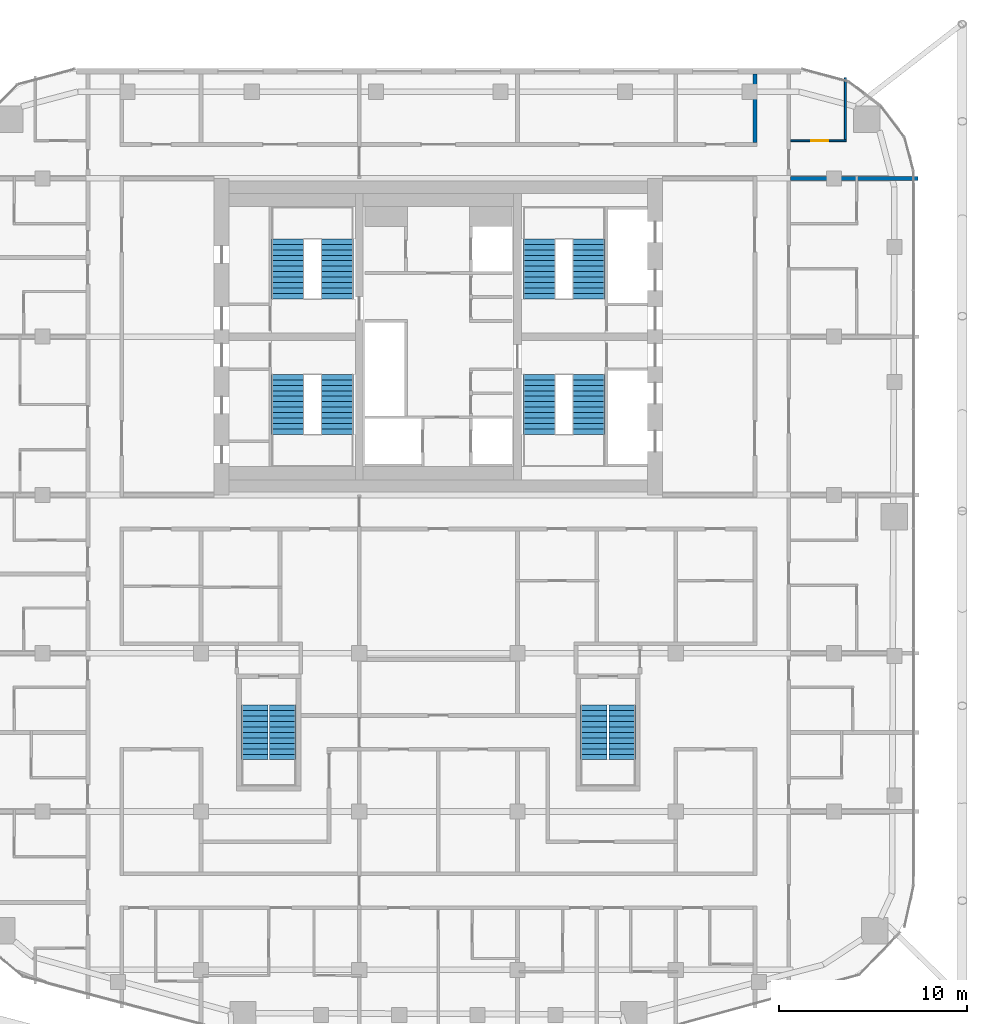
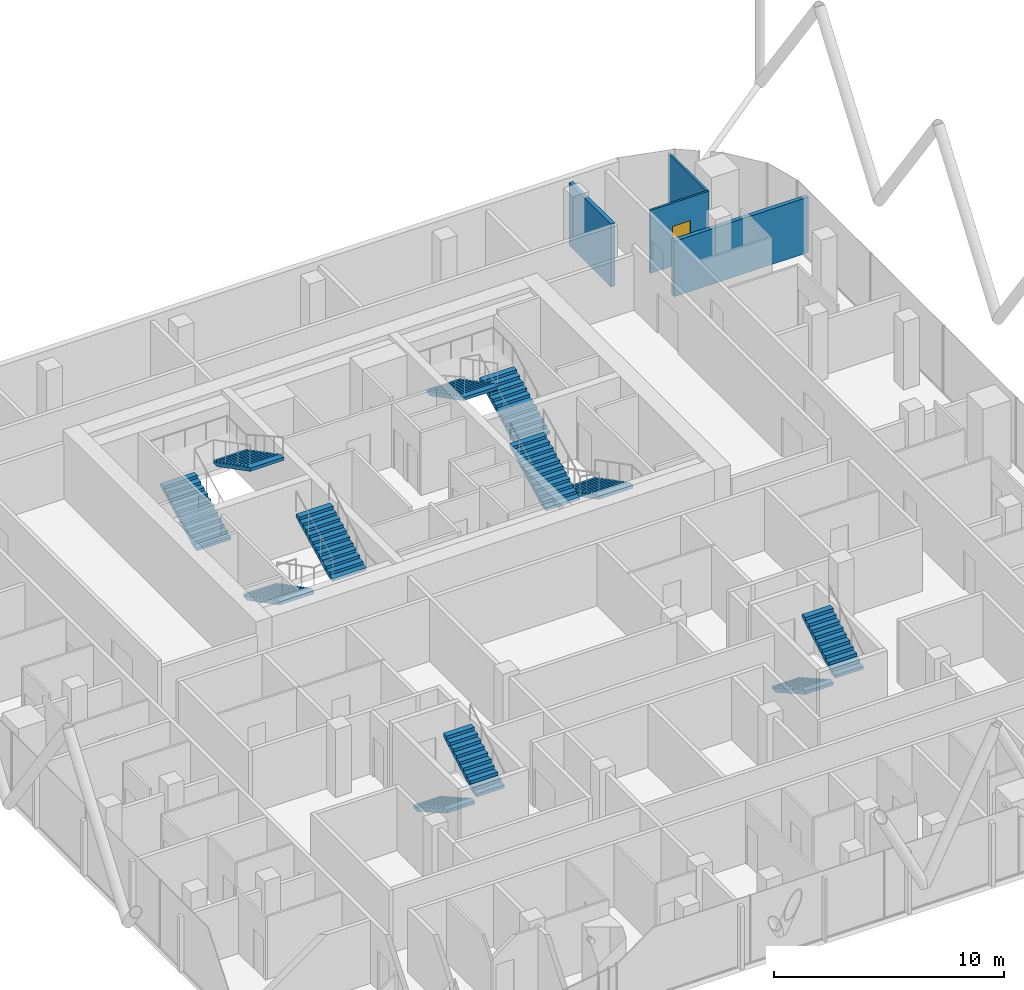
# One storey, part 27 of 28: 12 stair flights, 4 walls, 1 door, 1 opening, 6 elements without a shape of their own.
"""IFC4 building model written with IfcOpenShell, lengths in metres."""

import ifcopenshell
import ifcopenshell.guid

model = None  # the IFC model being written
_history = None  # IfcOwnerHistory: only IFC2X3 demands one
_inside = {}  # id of a spatial element -> (the spatial element, [elements in it])
_under = {}  # id of a project, library or spatial element -> (it, [spatial elements below it])
_declared = {}  # id of a project -> (the project, [libraries it declares])
_typed = {}  # id of a type object -> (the type object, [elements of that type])
_made_of = {}  # id of a material, layer set ... -> (it, [elements and type objects made of it])


def new_model(schema):
    """Start an empty IFC model of exactly this schema.

    Asked for "IFC4X3", IfcOpenShell would pick the latest addendum, in which some entities
    have other attributes; the version numbers below select the first issue.
    IFC2X3 requires an IfcOwnerHistory on every rooted entity: one is made here for all.
    """
    global model, _history
    if schema == "IFC4X3":
        model = ifcopenshell.file(schema_version=(4, 3, 0, 0))
    else:
        model = ifcopenshell.file(schema=schema)
    _inside.clear()
    _under.clear()
    _declared.clear()
    _typed.clear()
    _made_of.clear()
    _history = None
    if model.schema == "IFC2X3":
        org = make("IfcOrganization", Name="unknown")
        user = make(
            "IfcPersonAndOrganization",
            ThePerson=make("IfcPerson", FamilyName="unknown"),
            TheOrganization=org,
        )
        app = make(
            "IfcApplication",
            ApplicationDeveloper=org,
            Version="unknown",
            ApplicationFullName="unknown",
            ApplicationIdentifier="unknown",
        )
        _history = make(
            "IfcOwnerHistory",
            OwningUser=user,
            OwningApplication=app,
            ChangeAction="ADDED",
            CreationDate=0,
        )
    return model


def make(cls, **values):
    """One entity of the class cls with the attributes given. An attribute that is None is left unset."""
    return model.create_entity(
        cls, **{name: value for name, value in values.items() if value is not None}
    )


def rooted(cls, **values):
    """An entity with a GlobalId (a new one), such as an element, a storey or a relation."""
    return make(cls, GlobalId=ifcopenshell.guid.new(), OwnerHistory=_history, **values)


def si_unit(unit_type, name, prefix=None):
    """IfcSIUnit, for example si_unit("LENGTHUNIT", "METRE", prefix="MILLI")."""
    return make("IfcSIUnit", UnitType=unit_type, Prefix=prefix, Name=name)


def assignment(units):
    """IfcUnitAssignment: the units of a project."""
    return None if units is None else make("IfcUnitAssignment", Units=units)


def point(xyz):
    """IfcCartesianPoint."""
    return None if xyz is None else make("IfcCartesianPoint", Coordinates=xyz)


def direction(xyz):
    """IfcDirection."""
    return None if xyz is None else make("IfcDirection", DirectionRatios=xyz)


def frame(location, z_axis=None, x_axis=None):
    """IfcAxis2Placement3D, a coordinate frame: its origin and axes. An axis left out is left unset."""
    return make(
        "IfcAxis2Placement3D",
        Location=point(location),
        Axis=direction(z_axis),
        RefDirection=direction(x_axis),
    )


def frame_2d(location, x_axis=None):
    """IfcAxis2Placement2D, a coordinate frame in the plane: its origin and x axis."""
    return make(
        "IfcAxis2Placement2D", Location=point(location), RefDirection=direction(x_axis)
    )


def origin():
    """The frame at (0, 0, 0) with its axes left unset."""
    return frame((0.0, 0.0, 0.0))


def place(relative_to, where):
    """IfcLocalPlacement: puts the frame where relative to a parent placement (None: the world)."""
    return make(
        "IfcLocalPlacement", PlacementRelTo=relative_to, RelativePlacement=where
    )


def context(
    kind, dimensions, precision=None, world=None, true_north=None, identifier=None
):
    """IfcGeometricRepresentationContext, for example the 3D "Model" context."""
    return make(
        "IfcGeometricRepresentationContext",
        ContextIdentifier=identifier,
        ContextType=kind,
        CoordinateSpaceDimension=dimensions,
        Precision=precision,
        WorldCoordinateSystem=world,
        TrueNorth=true_north,
    )


def subcontext(parent, identifier, kind, view, scale=None):
    """IfcGeometricRepresentationSubContext, for example "Body" below "Model"."""
    return make(
        "IfcGeometricRepresentationSubContext",
        ContextIdentifier=identifier,
        ContextType=kind,
        ParentContext=parent,
        TargetScale=scale,
        TargetView=view,
    )


def project(units=None, contexts=None):
    """IfcProject with its units and contexts."""
    return rooted(
        "IfcProject",
        Name="project",
        RepresentationContexts=contexts,
        UnitsInContext=assignment(units),
    )


def spatial(cls, under=None, at=None, **own):
    """A site, building, storey or space (cls), placed at a placement, below another one or the project."""
    s = rooted(cls, ObjectPlacement=at, **own)
    if under is not None:
        _under.setdefault(under.id(), (under, []))[1].append(s)
    return s


def polyline(points):
    """IfcPolyline through the points."""
    return make("IfcPolyline", Points=[point(p) for p in points])


def profile(cls, at=None, kind="AREA", **sizes):
    """A parametric profile (cls). Its sizes go by their IFC names, for example OverallWidth=200.0."""
    return make(cls, ProfileType=kind, Position=at, **sizes)


def rectangle(**sizes):
    """IfcRectangleProfileDef."""
    return profile("IfcRectangleProfileDef", **sizes)


def outline(outer, holes=None, kind="AREA"):
    """IfcArbitraryClosedProfileDef: a profile drawn as a closed curve; with holes, ...WithVoids."""
    if holes is None:
        return make("IfcArbitraryClosedProfileDef", ProfileType=kind, OuterCurve=outer)
    return make(
        "IfcArbitraryProfileDefWithVoids",
        ProfileType=kind,
        OuterCurve=outer,
        InnerCurves=holes,
    )


def extrude(swept, where, along, depth):
    """IfcExtrudedAreaSolid: the profile swept, set in the frame where, extruded along a direction by depth."""
    return make(
        "IfcExtrudedAreaSolid",
        SweptArea=swept,
        Position=where,
        ExtrudedDirection=direction(along),
        Depth=depth,
    )


def shape(context_of_items, identifier, shape_type, items):
    """IfcShapeRepresentation: the items that make up one representation, for example the "Body"."""
    return make(
        "IfcShapeRepresentation",
        ContextOfItems=context_of_items,
        RepresentationIdentifier=identifier,
        RepresentationType=shape_type,
        Items=items,
    )


def material(Name=None, Category=None):
    """IfcMaterial."""
    return make("IfcMaterial", Name=Name, Category=Category)


def layer(
    of_material, thickness, ventilated=None, Name=None, Category=None, Priority=None
):
    """IfcMaterialLayer: one layer of a wall or slab, of a material (None: an air gap)."""
    return make(
        "IfcMaterialLayer",
        Material=of_material,
        LayerThickness=thickness,
        IsVentilated=ventilated,
        Name=Name,
        Category=Category,
        Priority=Priority,
    )


def layer_set(layers, Name=None):
    """IfcMaterialLayerSet."""
    return make("IfcMaterialLayerSet", MaterialLayers=layers, LayerSetName=Name)


def made_of(thing, what):
    """Note that an element or type object is made of a material, layer set ...; save() writes the relation."""
    if what is not None:
        _made_of.setdefault(what.id(), (what, []))[1].append(thing)
    return thing


def type_object(cls, material=None, **own):
    """A type object (cls), such as IfcWallType, which elements share."""
    return made_of(rooted(cls, **own), material)


def element(
    cls,
    number,
    at=None,
    inside=None,
    cuts=None,
    type_object=None,
    material=None,
    context=None,
    identifier="Body",
    shape_type=None,
    held_by="IfcProductDefinitionShape",
    body=None,
    shapes=None,
    **own,
):
    """One element of the class cls, such as IfcWall. Its Tag is "e" and its number.

    at: its placement. inside: the storey or other place that contains it. cuts: it is an
    opening in that element (IfcRelVoidsElement). A single representation is given by context,
    identifier, shape_type and body (its items); several are given by shapes. held_by: the class
    of the entity that holds the representations. save() writes the other relations.
    """
    e = rooted(cls, Tag="e%d" % number, ObjectPlacement=at, **own)
    if body is not None:
        shapes = [shape(context, identifier, shape_type, body)]
    if shapes is not None:
        e.Representation = make(held_by, Representations=shapes)
    if inside is not None:
        _inside.setdefault(inside.id(), (inside, []))[1].append(e)
    if cuts is not None:
        rooted(
            "IfcRelVoidsElement", RelatingBuildingElement=cuts, RelatedOpeningElement=e
        )
    if type_object is not None:
        _typed.setdefault(type_object.id(), (type_object, []))[1].append(e)
    return made_of(e, material)


def fill(opening, filler):
    """IfcRelFillsElement: the door or window that sits in an opening."""
    return rooted(
        "IfcRelFillsElement",
        RelatingOpeningElement=opening,
        RelatedBuildingElement=filler,
    )


def aggregate(whole, parts):
    """IfcRelAggregates: a whole, such as a stair, and the parts it consists of."""
    return rooted("IfcRelAggregates", RelatingObject=whole, RelatedObjects=parts)


def save(model, path):
    """Write the relations noted so far, then the file.

    IfcRelAggregates (storeys below a building ...), IfcRelContainedInSpatialStructure (elements
    in a storey), IfcRelDefinesByType, IfcRelAssociatesMaterial and IfcRelDeclares: one each for
    every whole, place, type object, material and project.
    """
    for whole, parts in _under.values():
        aggregate(whole, parts)
    for where, things in _inside.values():
        rooted(
            "IfcRelContainedInSpatialStructure",
            RelatedElements=things,
            RelatingStructure=where,
        )
    for kind, things in _typed.values():
        rooted("IfcRelDefinesByType", RelatedObjects=things, RelatingType=kind)
    for what, things in _made_of.values():
        rooted("IfcRelAssociatesMaterial", RelatedObjects=things, RelatingMaterial=what)
    for by, libraries in _declared.values():
        rooted("IfcRelDeclares", RelatingContext=by, RelatedDefinitions=libraries)
    model.write(path)


model = new_model("IFC4")

# Units and contexts
model_context = context("Model", 3, precision=1e-05, world=origin(), true_north=direction((0.0, 1.0)))
body_context = subcontext(model_context, "Body", "Model", "MODEL_VIEW")
ifc_project = project(units=[si_unit("LENGTHUNIT", "METRE"), si_unit("AREAUNIT", "SQUARE_METRE"), si_unit("VOLUMEUNIT", "CUBIC_METRE"), si_unit("PLANEANGLEUNIT", "RADIAN"), si_unit("MASSUNIT", "GRAM", prefix="KILO")], contexts=[model_context])

# Site, building, storey
site_placement = place(None, origin())
site = spatial("IfcSite", under=ifc_project, at=site_placement, CompositionType="ELEMENT")
building_placement = place(site_placement, origin())
building = spatial("IfcBuilding", under=site, at=building_placement, Name="Marenta Gate Hotel Tower", CompositionType="ELEMENT")
storey_placement = place(building_placement, frame((0.0, 0.0, 227.300048828125)))
storey = spatial("IfcBuildingStorey", under=building, at=storey_placement, Name="L53", CompositionType="ELEMENT", Elevation=227.300048828125)

# Walls
ifc_material_1 = material(Name="Gypsum board on steel stud", Category="steel")
ifc_layer_1 = layer(ifc_material_1, 0.199951171875)
ifc_layer_set_1 = layer_set([ifc_layer_1], Name="Gypsum board on steel stud")
wall_type_1 = type_object("IfcWallType", Name="Room corridor wall 200 EI 60", PredefinedType="PARTITIONING", material=ifc_layer_set_1)
wall_1_placement = place(storey_placement, frame((16.800048828125, 18.699951171875, 0.0), z_axis=(0.0, 0.0, 1.0), x_axis=(0.0, 1.0, 0.0)))
element("IfcWall", 1, at=wall_1_placement, inside=storey, type_object=wall_type_1, Name="L53-PTN-W027", PredefinedType="PARTITIONING", context=body_context, shape_type="SweptSolid", body=[
    extrude(rectangle(XDim=3.64013671875, YDim=0.199951171875, at=frame_2d((1.820068359375, 0.0))), origin(), (0.0, 0.0, 1.0), 3.33984375),
])
ifc_material_2 = material(Name="Gypsum board on steel stud", Category="steel")
ifc_layer_2 = layer(ifc_material_2, 0.10009765625)
ifc_layer_set_2 = layer_set([ifc_layer_2], Name="Gypsum board on steel stud")
wall_type_2 = type_object("IfcWallType", Name="Room partition 100", PredefinedType="PARTITIONING", material=ifc_layer_set_2)
wall_2_placement = place(storey_placement, frame((21.60009765625, 18.85009765625, 0.0), z_axis=(0.0, 0.0, 1.0), x_axis=(0.0, 1.0, 0.0)))
element("IfcWall", 2, at=wall_2_placement, inside=storey, type_object=wall_type_2, Name="L53-PTN-W017", PredefinedType="PARTITIONING", context=body_context, shape_type="SweptSolid", body=[
    extrude(rectangle(XDim=3.294921875, YDim=0.10009765625, at=frame_2d((1.6474609375, 0.0))), origin(), (0.0, 0.0, 1.0), 3.33984375),
])

# Wall, opening, door
wall_3_placement = place(storey_placement, frame((18.699951171875, 18.800048828125, 0.0), z_axis=(0.0, 0.0, 1.0), x_axis=(1.0, 0.0, 0.0)))
wall_3 = element("IfcWall", 3, at=wall_3_placement, inside=storey, type_object=wall_type_2, Name="L53-PTN-W113", PredefinedType="PARTITIONING", context=body_context, shape_type="SweptSolid", body=[
    extrude(rectangle(XDim=2.949951171875, YDim=0.10009765625, at=frame_2d((1.47509765625, 0.0))), origin(), (0.0, 0.0, 1.0), 3.33984375),
])
opening_placement = place(wall_3_placement, frame((1.10009765625, 0.0, 0.0)))
opening = element("IfcOpeningElement", 4, at=opening_placement, cuts=wall_3, Name="Opening G19-30", PredefinedType="OPENING", context=body_context, shape_type="SweptSolid", body=[
    extrude(rectangle(XDim=0.89990234375, YDim=2.10009765625, at=frame_2d((0.449951171875, 1.050048828125))), frame((0.0, 0.050048828125, 0.0), z_axis=(0.0, -1.0, 0.0), x_axis=(1.0, 0.0, 0.0)), (0.0, 0.0, 1.0), 0.10009765625),
])
ifc_material_3 = material(Name="Timber door leaf", Category="wood")
door_type = type_object("IfcDoorType", Name="Guest bathroom door 900x2100", OperationType="NOTDEFINED", PredefinedType="DOOR", material=ifc_material_3)
door_placement = place(opening_placement, origin())
door = element("IfcDoor", 5, at=door_placement, inside=storey, type_object=door_type, Name="L53-PD-D030", OperationType="SINGLE_SWING_RIGHT", OverallHeight=2.10009765625, OverallWidth=0.89990234375, PredefinedType="DOOR", context=body_context, shape_type="SweptSolid", body=[
    extrude(rectangle(XDim=0.89990234375, YDim=2.10009765625, at=frame_2d((0.449951171875, 1.050048828125))), frame((0.0, 0.02490234375, 0.0), z_axis=(0.0, -1.0, 0.0), x_axis=(1.0, 0.0, 0.0)), (0.0, 0.0, 1.0), 0.050048828125),
])
fill(opening, door)

# Wall
ifc_material_4 = material(Name="Gypsum board on steel stud", Category="steel")
ifc_layer_3 = layer(ifc_material_4, 0.199951171875)
ifc_layer_set_3 = layer_set([ifc_layer_3], Name="Gypsum board on steel stud")
wall_type_3 = type_object("IfcWallType", Name="Room party wall 200 EI 60", PredefinedType="PARTITIONING", material=ifc_layer_set_3)
wall_4_placement = place(storey_placement, frame((18.699951171875, 16.800048828125, 0.0), z_axis=(0.0, 0.0, 1.0), x_axis=(1.0, 0.0, 0.0)))
element("IfcWall", 6, at=wall_4_placement, inside=storey, type_object=wall_type_3, Name="L53-PTN-W109", PredefinedType="PARTITIONING", context=body_context, shape_type="SweptSolid", body=[
    extrude(rectangle(XDim=6.7470703125, YDim=0.199951171875, at=frame_2d((3.37353515625, 0.0))), origin(), (0.0, 0.0, 1.0), 2.93994140625),
])

# Stair, stair flights
ifc_material_5 = material(Name="Concrete C40", Category="concrete")
stair_type_1 = type_object("IfcStairType", Name="Core exit stair 1700 wide", PredefinedType="HALF_TURN_STAIR", material=ifc_material_5)
stair_1_placement = place(storey_placement, origin())
stair_1 = element("IfcStair", 7, at=stair_1_placement, inside=storey, type_object=stair_type_1, Name="Exit stair 1", PredefinedType="HALF_TURN_STAIR")
ifc_material_6 = material(Name="Concrete C40", Category="concrete")
stair_flight_type_1 = type_object("IfcStairFlightType", Name="Core stair flight 1700 riser 150.0 going 290", PredefinedType="STRAIGHT", material=ifc_material_6)
stair_flight_1_placement = place(storey_placement, frame((-8.0, 6.39990234375, 0.0), z_axis=(0.0, 0.0, 1.0), x_axis=(0.0, -1.0, 0.0)))
stair_flight_1 = element("IfcStairFlight", 8, at=stair_flight_1_placement, type_object=stair_flight_type_1, Name="ST1 flight 1", NumberOfRisers=12, NumberOfTreads=11, PredefinedType="STRAIGHT", RiserHeight=0.15, TreadLength=0.29, context=body_context, shape_type="SweptSolid", body=[
    extrude(outline(polyline([(0.0, 0.0), (0.0, 0.14990234375), (0.2900390625, 0.14990234375), (0.2900390625, 0.300048828125), (0.580078125, 0.300048828125), (0.580078125, 0.449951171875), (0.8701171875, 0.449951171875), (0.8701171875, 0.60009765625), (1.159912109375, 0.60009765625), (1.159912109375, 0.75), (1.449951171875, 0.75), (1.449951171875, 0.89990234375), (1.739990234375, 0.89990234375), (1.739990234375, 1.050048828125), (2.030029296875, 1.050048828125), (2.030029296875, 1.199951171875), (2.320068359375, 1.199951171875), (2.320068359375, 1.35009765625), (2.610107421875, 1.35009765625), (2.610107421875, 1.5), (2.89990234375, 1.5), (2.89990234375, 1.64990234375), (3.18994140625, 1.64990234375), (3.18994140625, 1.800048828125), (3.18994140625, 1.481201171875), (0.326171875, 0.0), (0.0, 0.0)])), frame((0.0, 0.85009765625, 0.0), z_axis=(0.0, -1.0, 0.0), x_axis=(1.0, 0.0, 0.0)), (0.0, 0.0, 1.0), 1.699951171875),
])
stair_flight_2_placement = place(storey_placement, frame((-5.35009765625, 3.2099609375, 1.800048828125), z_axis=(0.0, 0.0, 1.0), x_axis=(0.0, 1.0, 0.0)))
stair_flight_2 = element("IfcStairFlight", 9, at=stair_flight_2_placement, type_object=stair_flight_type_1, Name="ST1 flight 2", NumberOfRisers=12, NumberOfTreads=11, PredefinedType="STRAIGHT", RiserHeight=0.15, TreadLength=0.29, context=body_context, shape_type="SweptSolid", body=[
    extrude(outline(polyline([(0.0, 0.0), (0.0, 0.14990234375), (0.2900390625, 0.14990234375), (0.2900390625, 0.300048828125), (0.580078125, 0.300048828125), (0.580078125, 0.449951171875), (0.8701171875, 0.449951171875), (0.8701171875, 0.60009765625), (1.159912109375, 0.60009765625), (1.159912109375, 0.75), (1.449951171875, 0.75), (1.449951171875, 0.89990234375), (1.739990234375, 0.89990234375), (1.739990234375, 1.050048828125), (2.030029296875, 1.050048828125), (2.030029296875, 1.199951171875), (2.320068359375, 1.199951171875), (2.320068359375, 1.35009765625), (2.610107421875, 1.35009765625), (2.610107421875, 1.5), (2.89990234375, 1.5), (2.89990234375, 1.64990234375), (3.18994140625, 1.64990234375), (3.18994140625, 1.800048828125), (3.18994140625, 1.481201171875), (0.326171875, 0.0), (0.0, 0.0)])), frame((0.0, 0.85009765625, 0.0), z_axis=(0.0, -1.0, 0.0), x_axis=(1.0, 0.0, 0.0)), (0.0, 0.0, 1.0), 1.699951171875),
])
aggregate(stair_1, [stair_flight_1, stair_flight_2])

stair_2_placement = place(storey_placement, origin())
stair_2 = element("IfcStair", 10, at=stair_2_placement, inside=storey, type_object=stair_type_1, Name="Exit stair 2", PredefinedType="HALF_TURN_STAIR")
stair_flight_3_placement = place(storey_placement, frame((-8.0, 10.39990234375, 0.0), z_axis=(0.0, 0.0, 1.0), x_axis=(0.0, 1.0, 0.0)))
stair_flight_3 = element("IfcStairFlight", 11, at=stair_flight_3_placement, type_object=stair_flight_type_1, Name="ST2 flight 1", NumberOfRisers=12, NumberOfTreads=11, PredefinedType="STRAIGHT", RiserHeight=0.15, TreadLength=0.29, context=body_context, shape_type="SweptSolid", body=[
    extrude(outline(polyline([(0.0, 0.0), (0.0, 0.14990234375), (0.2900390625, 0.14990234375), (0.2900390625, 0.300048828125), (0.580078125, 0.300048828125), (0.580078125, 0.449951171875), (0.8701171875, 0.449951171875), (0.8701171875, 0.60009765625), (1.159912109375, 0.60009765625), (1.159912109375, 0.75), (1.449951171875, 0.75), (1.449951171875, 0.89990234375), (1.739990234375, 0.89990234375), (1.739990234375, 1.050048828125), (2.030029296875, 1.050048828125), (2.030029296875, 1.199951171875), (2.320068359375, 1.199951171875), (2.320068359375, 1.35009765625), (2.610107421875, 1.35009765625), (2.610107421875, 1.5), (2.89990234375, 1.5), (2.89990234375, 1.64990234375), (3.18994140625, 1.64990234375), (3.18994140625, 1.800048828125), (3.18994140625, 1.481201171875), (0.326171875, 0.0), (0.0, 0.0)])), frame((0.0, 0.85009765625, 0.0), z_axis=(0.0, -1.0, 0.0), x_axis=(1.0, 0.0, 0.0)), (0.0, 0.0, 1.0), 1.699951171875),
])
stair_flight_4_placement = place(storey_placement, frame((-5.35009765625, 13.590087890625, 1.800048828125), z_axis=(0.0, 0.0, 1.0), x_axis=(0.0, -1.0, 0.0)))
stair_flight_4 = element("IfcStairFlight", 12, at=stair_flight_4_placement, type_object=stair_flight_type_1, Name="ST2 flight 2", NumberOfRisers=12, NumberOfTreads=11, PredefinedType="STRAIGHT", RiserHeight=0.15, TreadLength=0.29, context=body_context, shape_type="SweptSolid", body=[
    extrude(outline(polyline([(0.0, 0.0), (0.0, 0.14990234375), (0.2900390625, 0.14990234375), (0.2900390625, 0.300048828125), (0.580078125, 0.300048828125), (0.580078125, 0.449951171875), (0.8701171875, 0.449951171875), (0.8701171875, 0.60009765625), (1.159912109375, 0.60009765625), (1.159912109375, 0.75), (1.449951171875, 0.75), (1.449951171875, 0.89990234375), (1.739990234375, 0.89990234375), (1.739990234375, 1.050048828125), (2.030029296875, 1.050048828125), (2.030029296875, 1.199951171875), (2.320068359375, 1.199951171875), (2.320068359375, 1.35009765625), (2.610107421875, 1.35009765625), (2.610107421875, 1.5), (2.89990234375, 1.5), (2.89990234375, 1.64990234375), (3.18994140625, 1.64990234375), (3.18994140625, 1.800048828125), (3.18994140625, 1.481201171875), (0.326171875, 0.0), (0.0, 0.0)])), frame((0.0, 0.85009765625, 0.0), z_axis=(0.0, -1.0, 0.0), x_axis=(1.0, 0.0, 0.0)), (0.0, 0.0, 1.0), 1.699951171875),
])
aggregate(stair_2, [stair_flight_3, stair_flight_4])

stair_3_placement = place(storey_placement, origin())
stair_3 = element("IfcStair", 13, at=stair_3_placement, inside=storey, type_object=stair_type_1, Name="Exit stair 3", PredefinedType="HALF_TURN_STAIR")
stair_flight_5_placement = place(storey_placement, frame((8.0, 6.39990234375, 0.0), z_axis=(0.0, 0.0, 1.0), x_axis=(0.0, -1.0, 0.0)))
stair_flight_5 = element("IfcStairFlight", 14, at=stair_flight_5_placement, type_object=stair_flight_type_1, Name="ST3 flight 1", NumberOfRisers=12, NumberOfTreads=11, PredefinedType="STRAIGHT", RiserHeight=0.15, TreadLength=0.29, context=body_context, shape_type="SweptSolid", body=[
    extrude(outline(polyline([(0.0, 0.0), (0.0, 0.14990234375), (0.2900390625, 0.14990234375), (0.2900390625, 0.300048828125), (0.580078125, 0.300048828125), (0.580078125, 0.449951171875), (0.8701171875, 0.449951171875), (0.8701171875, 0.60009765625), (1.159912109375, 0.60009765625), (1.159912109375, 0.75), (1.449951171875, 0.75), (1.449951171875, 0.89990234375), (1.739990234375, 0.89990234375), (1.739990234375, 1.050048828125), (2.030029296875, 1.050048828125), (2.030029296875, 1.199951171875), (2.320068359375, 1.199951171875), (2.320068359375, 1.35009765625), (2.610107421875, 1.35009765625), (2.610107421875, 1.5), (2.89990234375, 1.5), (2.89990234375, 1.64990234375), (3.18994140625, 1.64990234375), (3.18994140625, 1.800048828125), (3.18994140625, 1.481201171875), (0.326171875, 0.0), (0.0, 0.0)])), frame((0.0, 0.85009765625, 0.0), z_axis=(0.0, -1.0, 0.0), x_axis=(1.0, 0.0, 0.0)), (0.0, 0.0, 1.0), 1.699951171875),
])
stair_flight_6_placement = place(storey_placement, frame((5.35009765625, 3.2099609375, 1.800048828125), z_axis=(0.0, 0.0, 1.0), x_axis=(0.0, 1.0, 0.0)))
stair_flight_6 = element("IfcStairFlight", 15, at=stair_flight_6_placement, type_object=stair_flight_type_1, Name="ST3 flight 2", NumberOfRisers=12, NumberOfTreads=11, PredefinedType="STRAIGHT", RiserHeight=0.15, TreadLength=0.29, context=body_context, shape_type="SweptSolid", body=[
    extrude(outline(polyline([(0.0, 0.0), (0.0, 0.14990234375), (0.2900390625, 0.14990234375), (0.2900390625, 0.300048828125), (0.580078125, 0.300048828125), (0.580078125, 0.449951171875), (0.8701171875, 0.449951171875), (0.8701171875, 0.60009765625), (1.159912109375, 0.60009765625), (1.159912109375, 0.75), (1.449951171875, 0.75), (1.449951171875, 0.89990234375), (1.739990234375, 0.89990234375), (1.739990234375, 1.050048828125), (2.030029296875, 1.050048828125), (2.030029296875, 1.199951171875), (2.320068359375, 1.199951171875), (2.320068359375, 1.35009765625), (2.610107421875, 1.35009765625), (2.610107421875, 1.5), (2.89990234375, 1.5), (2.89990234375, 1.64990234375), (3.18994140625, 1.64990234375), (3.18994140625, 1.800048828125), (3.18994140625, 1.481201171875), (0.326171875, 0.0), (0.0, 0.0)])), frame((0.0, 0.85009765625, 0.0), z_axis=(0.0, -1.0, 0.0), x_axis=(1.0, 0.0, 0.0)), (0.0, 0.0, 1.0), 1.699951171875),
])
aggregate(stair_3, [stair_flight_5, stair_flight_6])

stair_4_placement = place(storey_placement, origin())
stair_4 = element("IfcStair", 16, at=stair_4_placement, inside=storey, type_object=stair_type_1, Name="Exit stair 4", PredefinedType="HALF_TURN_STAIR")
stair_flight_7_placement = place(storey_placement, frame((8.0, 10.39990234375, 0.0), z_axis=(0.0, 0.0, 1.0), x_axis=(0.0, 1.0, 0.0)))
stair_flight_7 = element("IfcStairFlight", 17, at=stair_flight_7_placement, type_object=stair_flight_type_1, Name="ST4 flight 1", NumberOfRisers=12, NumberOfTreads=11, PredefinedType="STRAIGHT", RiserHeight=0.15, TreadLength=0.29, context=body_context, shape_type="SweptSolid", body=[
    extrude(outline(polyline([(0.0, 0.0), (0.0, 0.14990234375), (0.2900390625, 0.14990234375), (0.2900390625, 0.300048828125), (0.580078125, 0.300048828125), (0.580078125, 0.449951171875), (0.8701171875, 0.449951171875), (0.8701171875, 0.60009765625), (1.159912109375, 0.60009765625), (1.159912109375, 0.75), (1.449951171875, 0.75), (1.449951171875, 0.89990234375), (1.739990234375, 0.89990234375), (1.739990234375, 1.050048828125), (2.030029296875, 1.050048828125), (2.030029296875, 1.199951171875), (2.320068359375, 1.199951171875), (2.320068359375, 1.35009765625), (2.610107421875, 1.35009765625), (2.610107421875, 1.5), (2.89990234375, 1.5), (2.89990234375, 1.64990234375), (3.18994140625, 1.64990234375), (3.18994140625, 1.800048828125), (3.18994140625, 1.481201171875), (0.326171875, 0.0), (0.0, 0.0)])), frame((0.0, 0.85009765625, 0.0), z_axis=(0.0, -1.0, 0.0), x_axis=(1.0, 0.0, 0.0)), (0.0, 0.0, 1.0), 1.699951171875),
])
stair_flight_8_placement = place(storey_placement, frame((5.35009765625, 13.590087890625, 1.800048828125), z_axis=(0.0, 0.0, 1.0), x_axis=(0.0, -1.0, 0.0)))
stair_flight_8 = element("IfcStairFlight", 18, at=stair_flight_8_placement, type_object=stair_flight_type_1, Name="ST4 flight 2", NumberOfRisers=12, NumberOfTreads=11, PredefinedType="STRAIGHT", RiserHeight=0.15, TreadLength=0.29, context=body_context, shape_type="SweptSolid", body=[
    extrude(outline(polyline([(0.0, 0.0), (0.0, 0.14990234375), (0.2900390625, 0.14990234375), (0.2900390625, 0.300048828125), (0.580078125, 0.300048828125), (0.580078125, 0.449951171875), (0.8701171875, 0.449951171875), (0.8701171875, 0.60009765625), (1.159912109375, 0.60009765625), (1.159912109375, 0.75), (1.449951171875, 0.75), (1.449951171875, 0.89990234375), (1.739990234375, 0.89990234375), (1.739990234375, 1.050048828125), (2.030029296875, 1.050048828125), (2.030029296875, 1.199951171875), (2.320068359375, 1.199951171875), (2.320068359375, 1.35009765625), (2.610107421875, 1.35009765625), (2.610107421875, 1.5), (2.89990234375, 1.5), (2.89990234375, 1.64990234375), (3.18994140625, 1.64990234375), (3.18994140625, 1.800048828125), (3.18994140625, 1.481201171875), (0.326171875, 0.0), (0.0, 0.0)])), frame((0.0, 0.85009765625, 0.0), z_axis=(0.0, -1.0, 0.0), x_axis=(1.0, 0.0, 0.0)), (0.0, 0.0, 1.0), 1.699951171875),
])
aggregate(stair_4, [stair_flight_7, stair_flight_8])

ifc_material_7 = material(Name="Concrete C40", Category="concrete")
stair_type_2 = type_object("IfcStairType", Name="Remote exit stair 1400 wide", PredefinedType="HALF_TURN_STAIR", material=ifc_material_7)
stair_5_placement = place(storey_placement, origin())
stair_5 = element("IfcStair", 19, at=stair_5_placement, inside=storey, type_object=stair_type_2, Name="Exit stair RS-Z3-1", PredefinedType="HALF_TURN_STAIR")
ifc_material_8 = material(Name="Concrete C40", Category="concrete")
stair_flight_type_2 = type_object("IfcStairFlightType", Name="Remote stair flight 1400 riser 163.6 going 290", PredefinedType="STRAIGHT", material=ifc_material_8)
stair_flight_9_placement = place(storey_placement, frame((-9.75, -11.14990234375, 0.0), z_axis=(0.0, 0.0, 1.0), x_axis=(0.0, -1.0, 0.0)))
stair_flight_9 = element("IfcStairFlight", 20, at=stair_flight_9_placement, type_object=stair_flight_type_2, Name="RS-Z3-1 flight 1", NumberOfRisers=11, NumberOfTreads=10, PredefinedType="STRAIGHT", RiserHeight=0.163636, TreadLength=0.29, context=body_context, shape_type="SweptSolid", body=[
    extrude(outline(polyline([(0.0, 0.0), (0.0, 0.16357421875), (0.2900390625, 0.16357421875), (0.2900390625, 0.327392578125), (0.580078125, 0.327392578125), (0.580078125, 0.490966796875), (0.8701171875, 0.490966796875), (0.8701171875, 0.654541015625), (1.159912109375, 0.654541015625), (1.159912109375, 0.818115234375), (1.449951171875, 0.818115234375), (1.449951171875, 0.98193359375), (1.739990234375, 0.98193359375), (1.739990234375, 1.1455078125), (2.030029296875, 1.1455078125), (2.030029296875, 1.30908203125), (2.320068359375, 1.30908203125), (2.320068359375, 1.47265625), (2.610107421875, 1.47265625), (2.610107421875, 1.636474609375), (2.89990234375, 1.636474609375), (2.89990234375, 1.800048828125), (2.89990234375, 1.46435546875), (0.304931640625, 0.0), (0.0, 0.0)])), frame((0.0, 0.699951171875, 0.0), z_axis=(0.0, -1.0, 0.0), x_axis=(1.0, 0.0, 0.0)), (0.0, 0.0, 1.0), 1.39990234375),
])
stair_flight_10_placement = place(storey_placement, frame((-8.25, -14.050048828125, 1.800048828125), z_axis=(0.0, 0.0, 1.0), x_axis=(0.0, 1.0, 0.0)))
stair_flight_10 = element("IfcStairFlight", 21, at=stair_flight_10_placement, type_object=stair_flight_type_2, Name="RS-Z3-1 flight 2", NumberOfRisers=11, NumberOfTreads=10, PredefinedType="STRAIGHT", RiserHeight=0.163636, TreadLength=0.29, context=body_context, shape_type="SweptSolid", body=[
    extrude(outline(polyline([(0.0, 0.0), (0.0, 0.16357421875), (0.2900390625, 0.16357421875), (0.2900390625, 0.327392578125), (0.580078125, 0.327392578125), (0.580078125, 0.490966796875), (0.8701171875, 0.490966796875), (0.8701171875, 0.654541015625), (1.159912109375, 0.654541015625), (1.159912109375, 0.818115234375), (1.449951171875, 0.818115234375), (1.449951171875, 0.98193359375), (1.739990234375, 0.98193359375), (1.739990234375, 1.1455078125), (2.030029296875, 1.1455078125), (2.030029296875, 1.30908203125), (2.320068359375, 1.30908203125), (2.320068359375, 1.47265625), (2.610107421875, 1.47265625), (2.610107421875, 1.636474609375), (2.89990234375, 1.636474609375), (2.89990234375, 1.800048828125), (2.89990234375, 1.46435546875), (0.304931640625, 0.0), (0.0, 0.0)])), frame((0.0, 0.699951171875, 0.0), z_axis=(0.0, -1.0, 0.0), x_axis=(1.0, 0.0, 0.0)), (0.0, 0.0, 1.0), 1.39990234375),
])
aggregate(stair_5, [stair_flight_9, stair_flight_10])

stair_6_placement = place(storey_placement, origin())
stair_6 = element("IfcStair", 22, at=stair_6_placement, inside=storey, type_object=stair_type_2, Name="Exit stair RS-Z3-2", PredefinedType="HALF_TURN_STAIR")
stair_flight_11_placement = place(storey_placement, frame((8.25, -11.14990234375, 0.0), z_axis=(0.0, 0.0, 1.0), x_axis=(0.0, -1.0, 0.0)))
stair_flight_11 = element("IfcStairFlight", 23, at=stair_flight_11_placement, type_object=stair_flight_type_2, Name="RS-Z3-2 flight 1", NumberOfRisers=11, NumberOfTreads=10, PredefinedType="STRAIGHT", RiserHeight=0.163636, TreadLength=0.29, context=body_context, shape_type="SweptSolid", body=[
    extrude(outline(polyline([(0.0, 0.0), (0.0, 0.16357421875), (0.2900390625, 0.16357421875), (0.2900390625, 0.327392578125), (0.580078125, 0.327392578125), (0.580078125, 0.490966796875), (0.8701171875, 0.490966796875), (0.8701171875, 0.654541015625), (1.159912109375, 0.654541015625), (1.159912109375, 0.818115234375), (1.449951171875, 0.818115234375), (1.449951171875, 0.98193359375), (1.739990234375, 0.98193359375), (1.739990234375, 1.1455078125), (2.030029296875, 1.1455078125), (2.030029296875, 1.30908203125), (2.320068359375, 1.30908203125), (2.320068359375, 1.47265625), (2.610107421875, 1.47265625), (2.610107421875, 1.636474609375), (2.89990234375, 1.636474609375), (2.89990234375, 1.800048828125), (2.89990234375, 1.46435546875), (0.304931640625, 0.0), (0.0, 0.0)])), frame((0.0, 0.699951171875, 0.0), z_axis=(0.0, -1.0, 0.0), x_axis=(1.0, 0.0, 0.0)), (0.0, 0.0, 1.0), 1.39990234375),
])
stair_flight_12_placement = place(storey_placement, frame((9.75, -14.050048828125, 1.800048828125), z_axis=(0.0, 0.0, 1.0), x_axis=(0.0, 1.0, 0.0)))
stair_flight_12 = element("IfcStairFlight", 24, at=stair_flight_12_placement, type_object=stair_flight_type_2, Name="RS-Z3-2 flight 2", NumberOfRisers=11, NumberOfTreads=10, PredefinedType="STRAIGHT", RiserHeight=0.163636, TreadLength=0.29, context=body_context, shape_type="SweptSolid", body=[
    extrude(outline(polyline([(0.0, 0.0), (0.0, 0.16357421875), (0.2900390625, 0.16357421875), (0.2900390625, 0.327392578125), (0.580078125, 0.327392578125), (0.580078125, 0.490966796875), (0.8701171875, 0.490966796875), (0.8701171875, 0.654541015625), (1.159912109375, 0.654541015625), (1.159912109375, 0.818115234375), (1.449951171875, 0.818115234375), (1.449951171875, 0.98193359375), (1.739990234375, 0.98193359375), (1.739990234375, 1.1455078125), (2.030029296875, 1.1455078125), (2.030029296875, 1.30908203125), (2.320068359375, 1.30908203125), (2.320068359375, 1.47265625), (2.610107421875, 1.47265625), (2.610107421875, 1.636474609375), (2.89990234375, 1.636474609375), (2.89990234375, 1.800048828125), (2.89990234375, 1.46435546875), (0.304931640625, 0.0), (0.0, 0.0)])), frame((0.0, 0.699951171875, 0.0), z_axis=(0.0, -1.0, 0.0), x_axis=(1.0, 0.0, 0.0)), (0.0, 0.0, 1.0), 1.39990234375),
])
aggregate(stair_6, [stair_flight_11, stair_flight_12])

save(model, "model.ifc")
